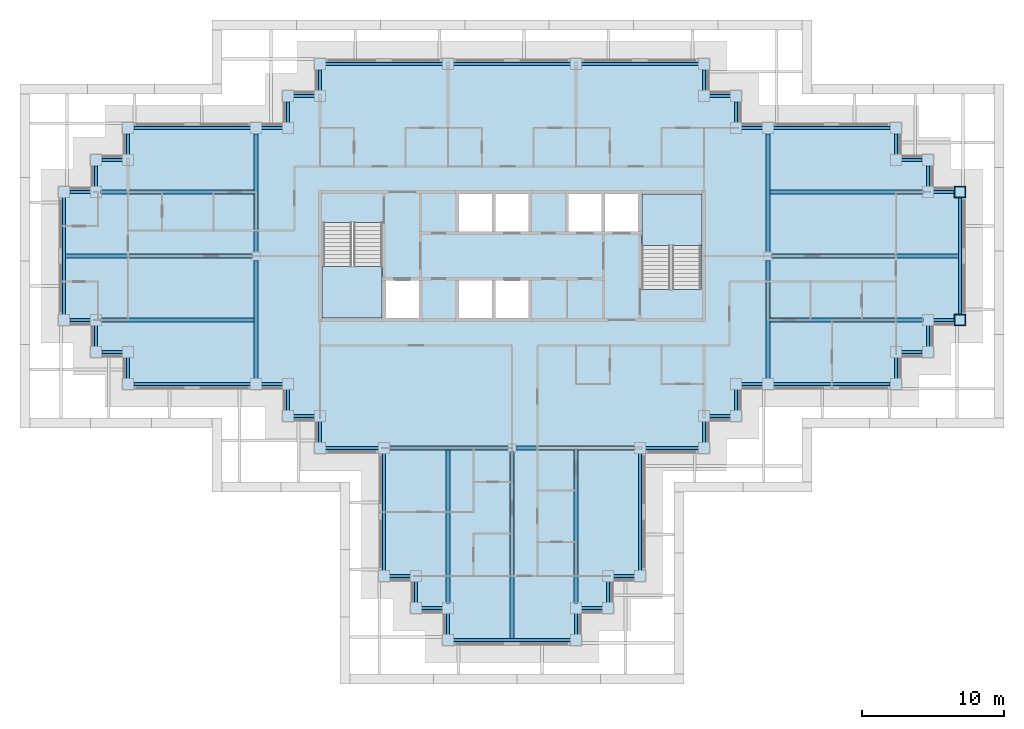
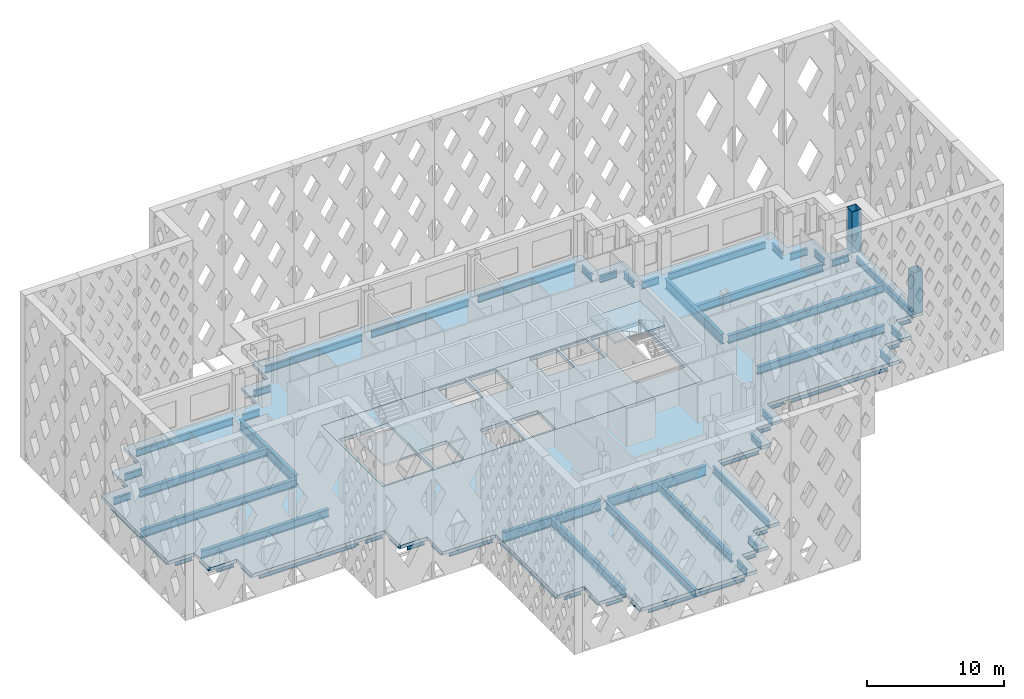
# One storey, part 2 of 19: 69 beams, 4 slabs, 2 columns, 2 elements without a shape of their own.
"""IFC4 building model written with IfcOpenShell, lengths in metres."""

import ifcopenshell
import ifcopenshell.guid

model = None  # the IFC model being written
_history = None  # IfcOwnerHistory: only IFC2X3 demands one
_inside = {}  # id of a spatial element -> (the spatial element, [elements in it])
_under = {}  # id of a project, library or spatial element -> (it, [spatial elements below it])
_declared = {}  # id of a project -> (the project, [libraries it declares])
_typed = {}  # id of a type object -> (the type object, [elements of that type])
_made_of = {}  # id of a material, layer set ... -> (it, [elements and type objects made of it])


def new_model(schema):
    """Start an empty IFC model of exactly this schema.

    Asked for "IFC4X3", IfcOpenShell would pick the latest addendum, in which some entities
    have other attributes; the version numbers below select the first issue.
    IFC2X3 requires an IfcOwnerHistory on every rooted entity: one is made here for all.
    """
    global model, _history
    if schema == "IFC4X3":
        model = ifcopenshell.file(schema_version=(4, 3, 0, 0))
    else:
        model = ifcopenshell.file(schema=schema)
    _inside.clear()
    _under.clear()
    _declared.clear()
    _typed.clear()
    _made_of.clear()
    _history = None
    if model.schema == "IFC2X3":
        org = make("IfcOrganization", Name="unknown")
        user = make(
            "IfcPersonAndOrganization",
            ThePerson=make("IfcPerson", FamilyName="unknown"),
            TheOrganization=org,
        )
        app = make(
            "IfcApplication",
            ApplicationDeveloper=org,
            Version="unknown",
            ApplicationFullName="unknown",
            ApplicationIdentifier="unknown",
        )
        _history = make(
            "IfcOwnerHistory",
            OwningUser=user,
            OwningApplication=app,
            ChangeAction="ADDED",
            CreationDate=0,
        )
    return model


def make(cls, **values):
    """One entity of the class cls with the attributes given. An attribute that is None is left unset."""
    return model.create_entity(
        cls, **{name: value for name, value in values.items() if value is not None}
    )


def rooted(cls, **values):
    """An entity with a GlobalId (a new one), such as an element, a storey or a relation."""
    return make(cls, GlobalId=ifcopenshell.guid.new(), OwnerHistory=_history, **values)


def si_unit(unit_type, name, prefix=None):
    """IfcSIUnit, for example si_unit("LENGTHUNIT", "METRE", prefix="MILLI")."""
    return make("IfcSIUnit", UnitType=unit_type, Prefix=prefix, Name=name)


def assignment(units):
    """IfcUnitAssignment: the units of a project."""
    return None if units is None else make("IfcUnitAssignment", Units=units)


def point(xyz):
    """IfcCartesianPoint."""
    return None if xyz is None else make("IfcCartesianPoint", Coordinates=xyz)


def direction(xyz):
    """IfcDirection."""
    return None if xyz is None else make("IfcDirection", DirectionRatios=xyz)


def frame(location, z_axis=None, x_axis=None):
    """IfcAxis2Placement3D, a coordinate frame: its origin and axes. An axis left out is left unset."""
    return make(
        "IfcAxis2Placement3D",
        Location=point(location),
        Axis=direction(z_axis),
        RefDirection=direction(x_axis),
    )


def frame_2d(location, x_axis=None):
    """IfcAxis2Placement2D, a coordinate frame in the plane: its origin and x axis."""
    return make(
        "IfcAxis2Placement2D", Location=point(location), RefDirection=direction(x_axis)
    )


def origin():
    """The frame at (0, 0, 0) with its axes left unset."""
    return frame((0.0, 0.0, 0.0))


def origin_2d():
    """The frame at (0, 0) in the plane with its x axis left unset."""
    return frame_2d((0.0, 0.0))


def place(relative_to, where):
    """IfcLocalPlacement: puts the frame where relative to a parent placement (None: the world)."""
    return make(
        "IfcLocalPlacement", PlacementRelTo=relative_to, RelativePlacement=where
    )


def context(
    kind, dimensions, precision=None, world=None, true_north=None, identifier=None
):
    """IfcGeometricRepresentationContext, for example the 3D "Model" context."""
    return make(
        "IfcGeometricRepresentationContext",
        ContextIdentifier=identifier,
        ContextType=kind,
        CoordinateSpaceDimension=dimensions,
        Precision=precision,
        WorldCoordinateSystem=world,
        TrueNorth=true_north,
    )


def subcontext(parent, identifier, kind, view, scale=None):
    """IfcGeometricRepresentationSubContext, for example "Body" below "Model"."""
    return make(
        "IfcGeometricRepresentationSubContext",
        ContextIdentifier=identifier,
        ContextType=kind,
        ParentContext=parent,
        TargetScale=scale,
        TargetView=view,
    )


def project(units=None, contexts=None):
    """IfcProject with its units and contexts."""
    return rooted(
        "IfcProject",
        Name="project",
        RepresentationContexts=contexts,
        UnitsInContext=assignment(units),
    )


def spatial(cls, under=None, at=None, **own):
    """A site, building, storey or space (cls), placed at a placement, below another one or the project."""
    s = rooted(cls, ObjectPlacement=at, **own)
    if under is not None:
        _under.setdefault(under.id(), (under, []))[1].append(s)
    return s


def polyline(points):
    """IfcPolyline through the points."""
    return make("IfcPolyline", Points=[point(p) for p in points])


def profile(cls, at=None, kind="AREA", **sizes):
    """A parametric profile (cls). Its sizes go by their IFC names, for example OverallWidth=200.0."""
    return make(cls, ProfileType=kind, Position=at, **sizes)


def hollow_rectangle(**sizes):
    """IfcRectangleHollowProfileDef."""
    return profile("IfcRectangleHollowProfileDef", **sizes)


def i_section(**sizes):
    """IfcIShapeProfileDef."""
    return profile("IfcIShapeProfileDef", **sizes)


def outline(outer, holes=None, kind="AREA"):
    """IfcArbitraryClosedProfileDef: a profile drawn as a closed curve; with holes, ...WithVoids."""
    if holes is None:
        return make("IfcArbitraryClosedProfileDef", ProfileType=kind, OuterCurve=outer)
    return make(
        "IfcArbitraryProfileDefWithVoids",
        ProfileType=kind,
        OuterCurve=outer,
        InnerCurves=holes,
    )


def extrude(swept, where, along, depth):
    """IfcExtrudedAreaSolid: the profile swept, set in the frame where, extruded along a direction by depth."""
    return make(
        "IfcExtrudedAreaSolid",
        SweptArea=swept,
        Position=where,
        ExtrudedDirection=direction(along),
        Depth=depth,
    )


def shape(context_of_items, identifier, shape_type, items):
    """IfcShapeRepresentation: the items that make up one representation, for example the "Body"."""
    return make(
        "IfcShapeRepresentation",
        ContextOfItems=context_of_items,
        RepresentationIdentifier=identifier,
        RepresentationType=shape_type,
        Items=items,
    )


def material(Name=None, Category=None):
    """IfcMaterial."""
    return make("IfcMaterial", Name=Name, Category=Category)


def layer(
    of_material, thickness, ventilated=None, Name=None, Category=None, Priority=None
):
    """IfcMaterialLayer: one layer of a wall or slab, of a material (None: an air gap)."""
    return make(
        "IfcMaterialLayer",
        Material=of_material,
        LayerThickness=thickness,
        IsVentilated=ventilated,
        Name=Name,
        Category=Category,
        Priority=Priority,
    )


def layer_set(layers, Name=None):
    """IfcMaterialLayerSet."""
    return make("IfcMaterialLayerSet", MaterialLayers=layers, LayerSetName=Name)


def material_profile(
    of_material, cross_section, Name=None, Category=None, Priority=None
):
    """IfcMaterialProfile: a cross section and its material."""
    return make(
        "IfcMaterialProfile",
        Name=Name,
        Material=of_material,
        Profile=cross_section,
        Priority=Priority,
        Category=Category,
    )


def profile_set(profiles, Name=None, composite=None):
    """IfcMaterialProfileSet."""
    return make(
        "IfcMaterialProfileSet",
        Name=Name,
        MaterialProfiles=profiles,
        CompositeProfile=composite,
    )


def made_of(thing, what):
    """Note that an element or type object is made of a material, layer set ...; save() writes the relation."""
    if what is not None:
        _made_of.setdefault(what.id(), (what, []))[1].append(thing)
    return thing


def type_object(cls, material=None, **own):
    """A type object (cls), such as IfcWallType, which elements share."""
    return made_of(rooted(cls, **own), material)


def element(
    cls,
    number,
    at=None,
    inside=None,
    cuts=None,
    type_object=None,
    material=None,
    context=None,
    identifier="Body",
    shape_type=None,
    held_by="IfcProductDefinitionShape",
    body=None,
    shapes=None,
    **own,
):
    """One element of the class cls, such as IfcWall. Its Tag is "e" and its number.

    at: its placement. inside: the storey or other place that contains it. cuts: it is an
    opening in that element (IfcRelVoidsElement). A single representation is given by context,
    identifier, shape_type and body (its items); several are given by shapes. held_by: the class
    of the entity that holds the representations. save() writes the other relations.
    """
    e = rooted(cls, Tag="e%d" % number, ObjectPlacement=at, **own)
    if body is not None:
        shapes = [shape(context, identifier, shape_type, body)]
    if shapes is not None:
        e.Representation = make(held_by, Representations=shapes)
    if inside is not None:
        _inside.setdefault(inside.id(), (inside, []))[1].append(e)
    if cuts is not None:
        rooted(
            "IfcRelVoidsElement", RelatingBuildingElement=cuts, RelatedOpeningElement=e
        )
    if type_object is not None:
        _typed.setdefault(type_object.id(), (type_object, []))[1].append(e)
    return made_of(e, material)


def aggregate(whole, parts):
    """IfcRelAggregates: a whole, such as a stair, and the parts it consists of."""
    return rooted("IfcRelAggregates", RelatingObject=whole, RelatedObjects=parts)


def save(model, path):
    """Write the relations noted so far, then the file.

    IfcRelAggregates (storeys below a building ...), IfcRelContainedInSpatialStructure (elements
    in a storey), IfcRelDefinesByType, IfcRelAssociatesMaterial and IfcRelDeclares: one each for
    every whole, place, type object, material and project.
    """
    for whole, parts in _under.values():
        aggregate(whole, parts)
    for where, things in _inside.values():
        rooted(
            "IfcRelContainedInSpatialStructure",
            RelatedElements=things,
            RelatingStructure=where,
        )
    for kind, things in _typed.values():
        rooted("IfcRelDefinesByType", RelatedObjects=things, RelatingType=kind)
    for what, things in _made_of.values():
        rooted("IfcRelAssociatesMaterial", RelatedObjects=things, RelatingMaterial=what)
    for by, libraries in _declared.values():
        rooted("IfcRelDeclares", RelatingContext=by, RelatedDefinitions=libraries)
    model.write(path)


model = new_model("IFC4")

# Units and contexts
model_context = context("Model", 3, precision=1e-05, world=origin(), true_north=direction((0.0, 1.0)))
body_context = subcontext(model_context, "Body", "Model", "MODEL_VIEW")
ifc_project = project(units=[si_unit("LENGTHUNIT", "METRE"), si_unit("AREAUNIT", "SQUARE_METRE"), si_unit("VOLUMEUNIT", "CUBIC_METRE"), si_unit("PLANEANGLEUNIT", "RADIAN"), si_unit("MASSUNIT", "GRAM", prefix="KILO")], contexts=[model_context])

# Site, building, storey
site_placement = place(None, origin())
site = spatial("IfcSite", under=ifc_project, at=site_placement, CompositionType="ELEMENT")
building_placement = place(site_placement, origin())
building = spatial("IfcBuilding", under=site, at=building_placement, Name="Caravel Reach Hotel and Residences", CompositionType="ELEMENT")
storey_placement = place(building_placement, frame((0.0, 0.0, 150.60009765625)))
storey = spatial("IfcBuildingStorey", under=building, at=storey_placement, Name="L37", CompositionType="ELEMENT", Elevation=150.60009765625)

# Columns
ifc_material_1 = material(Name="Concrete-filled steel tube Q390B with Concrete C60 infill", Category="concrete")
ifc_material_profile_1 = material_profile(ifc_material_1, hollow_rectangle(XDim=0.800048828125, YDim=0.800048828125, WallThickness=0.02490234375, at=origin_2d()), Name="RHS 800x800x25")
ifc_profile_set_1 = profile_set([ifc_material_profile_1], Name="Concrete-filled steel tube Q390B with Concrete C60 infill")
column_type = type_object("IfcColumnType", Name="CFT 800x800 Q390B C60", PredefinedType="COLUMN", material=ifc_profile_set_1)
for number, where, z_axis, x_axis, name in (
    (1, (63.0, 22.5, 0.0), (0.0, 0.0, 1.0), (1.0, 0.0, 0.0), "C5 column"),
    (2, (63.0, 31.5, 0.0), (0.0, 0.0, 1.0), (1.0, 0.0, 0.0), "C5 column"),
):
    element("IfcColumn", number, at=place(storey_placement, frame(where, z_axis=z_axis, x_axis=x_axis)), inside=storey, type_object=column_type, Name=name, PredefinedType="COLUMN", context=body_context, shape_type="SweptSolid", body=[
        extrude(hollow_rectangle(XDim=0.800048828125, YDim=0.800048828125, WallThickness=0.02490234375, at=origin_2d()), origin(), (0.0, 0.0, 1.0), 3.699951171875),
    ])

# Beams
ifc_material_2 = material(Name="Structural steel Q355B", Category="steel")
ifc_material_profile_2 = material_profile(ifc_material_2, i_section(OverallWidth=0.300048828125, OverallDepth=0.699951171875, WebThickness=0.012939453125, FlangeThickness=0.02392578125, FilletRadius=0.01806640625, at=origin_2d()), Name="HN 700x300x13x24")
ifc_profile_set_2 = profile_set([ifc_material_profile_2], Name="Structural steel Q355B")
beam_type_1 = type_object("IfcBeamType", Name="Beam HN 700x300x13x24", PredefinedType="BEAM", material=ifc_profile_set_2)
beam_1_placement = place(storey_placement, frame((27.0, 13.39990234375, -0.650146484375), z_axis=(0.0, -1.0, 0.0), x_axis=(1.0, 0.0, 0.0)))
element("IfcBeam", 3, at=beam_1_placement, inside=storey, type_object=beam_type_1, Name="B2 HN 700x300x13x24", PredefinedType="BEAM", context=body_context, shape_type="SweptSolid", body=[
    extrude(i_section(OverallWidth=0.300048828125, OverallDepth=0.699951171875, WebThickness=0.012939453125, FlangeThickness=0.02392578125, FilletRadius=0.01806640625, at=origin_2d()), origin(), (0.0, 0.0, 1.0), 10.7998046875),
])
beam_2_placement = place(storey_placement, frame((31.5, 13.25, -0.650146484375), z_axis=(0.0, -1.0, 0.0), x_axis=(1.0, 0.0, 0.0)))
element("IfcBeam", 4, at=beam_2_placement, inside=storey, type_object=beam_type_1, Name="B2 HN 700x300x13x24", PredefinedType="BEAM", context=body_context, shape_type="SweptSolid", body=[
    extrude(i_section(OverallWidth=0.300048828125, OverallDepth=0.699951171875, WebThickness=0.012939453125, FlangeThickness=0.02392578125, FilletRadius=0.01806640625, at=origin_2d()), origin(), (0.0, 0.0, 1.0), 13.14990234375),
])
for number, where, z_axis, x_axis, name in (
    (5, (36.0, 13.39990234375, -0.650146484375), (0.0, -1.0, 0.0), (1.0, 0.0, 0.0), "B2 HN 700x300x13x24"),
    (6, (49.60009765625, 22.5, -0.650146484375), (1.0, 0.0, 0.0), (0.0, 1.0, 0.0), "B2 HN 700x300x13x24"),
):
    element("IfcBeam", number, at=place(storey_placement, frame(where, z_axis=z_axis, x_axis=x_axis)), inside=storey, type_object=beam_type_1, Name=name, PredefinedType="BEAM", context=body_context, shape_type="SweptSolid", body=[
        extrude(i_section(OverallWidth=0.300048828125, OverallDepth=0.699951171875, WebThickness=0.012939453125, FlangeThickness=0.02392578125, FilletRadius=0.01806640625, at=origin_2d()), origin(), (0.0, 0.0, 1.0), 10.7998046875),
    ])
beam_3_placement = place(storey_placement, frame((49.75, 27.0, -0.650146484375), z_axis=(1.0, 0.0, 0.0), x_axis=(0.0, 1.0, 0.0)))
element("IfcBeam", 7, at=beam_3_placement, inside=storey, type_object=beam_type_1, Name="B2 HN 700x300x13x24", PredefinedType="BEAM", context=body_context, shape_type="SweptSolid", body=[
    extrude(i_section(OverallWidth=0.300048828125, OverallDepth=0.699951171875, WebThickness=0.012939453125, FlangeThickness=0.02392578125, FilletRadius=0.01806640625, at=origin_2d()), origin(), (0.0, 0.0, 1.0), 13.14990234375),
])
for number, where, z_axis, x_axis, name in (
    (8, (49.60009765625, 31.5, -0.650146484375), (1.0, 0.0, 0.0), (0.0, 1.0, 0.0), "B2 HN 700x300x13x24"),
    (9, (13.39990234375, 22.5, -0.650146484375), (-1.0, 0.0, 0.0), (0.0, -1.0, 0.0), "B2 HN 700x300x13x24"),
):
    element("IfcBeam", number, at=place(storey_placement, frame(where, z_axis=z_axis, x_axis=x_axis)), inside=storey, type_object=beam_type_1, Name=name, PredefinedType="BEAM", context=body_context, shape_type="SweptSolid", body=[
        extrude(i_section(OverallWidth=0.300048828125, OverallDepth=0.699951171875, WebThickness=0.012939453125, FlangeThickness=0.02392578125, FilletRadius=0.01806640625, at=origin_2d()), origin(), (0.0, 0.0, 1.0), 10.7998046875),
    ])
beam_4_placement = place(storey_placement, frame((13.25, 27.0, -0.650146484375), z_axis=(-1.0, 0.0, 0.0), x_axis=(0.0, -1.0, 0.0)))
element("IfcBeam", 10, at=beam_4_placement, inside=storey, type_object=beam_type_1, Name="B2 HN 700x300x13x24", PredefinedType="BEAM", context=body_context, shape_type="SweptSolid", body=[
    extrude(i_section(OverallWidth=0.300048828125, OverallDepth=0.699951171875, WebThickness=0.012939453125, FlangeThickness=0.02392578125, FilletRadius=0.01806640625, at=origin_2d()), origin(), (0.0, 0.0, 1.0), 13.14990234375),
])
beam_5_placement = place(storey_placement, frame((13.39990234375, 31.5, -0.650146484375), z_axis=(-1.0, 0.0, 0.0), x_axis=(0.0, -1.0, 0.0)))
element("IfcBeam", 11, at=beam_5_placement, inside=storey, type_object=beam_type_1, Name="B2 HN 700x300x13x24", PredefinedType="BEAM", context=body_context, shape_type="SweptSolid", body=[
    extrude(i_section(OverallWidth=0.300048828125, OverallDepth=0.699951171875, WebThickness=0.012939453125, FlangeThickness=0.02392578125, FilletRadius=0.01806640625, at=origin_2d()), origin(), (0.0, 0.0, 1.0), 10.7998046875),
])
ifc_material_3 = material(Name="Structural steel Q355B", Category="steel")
ifc_material_profile_3 = material_profile(ifc_material_3, i_section(OverallWidth=0.300048828125, OverallDepth=0.89990234375, WebThickness=0.01611328125, FlangeThickness=0.028076171875, FilletRadius=0.01806640625, at=origin_2d()), Name="HN 900x300x16x28")
ifc_profile_set_3 = profile_set([ifc_material_profile_3], Name="Structural steel Q355B")
beam_type_2 = type_object("IfcBeamType", Name="Beam HN 900x300x16x28", PredefinedType="BEAM", material=ifc_profile_set_3)
for number, where, z_axis, x_axis, name in (
    (12, (22.89990234375, 13.5, -0.75), (1.0, 0.0, 0.0), (0.0, 1.0, 0.0), "B3 HN 900x300x16x28"),
    (13, (31.800048828125, 13.5, -0.75), (1.0, 0.0, 0.0), (0.0, 1.0, 0.0), "B3 HN 900x300x16x28"),
    (14, (13.5, 18.39990234375, -0.75), (0.0, 1.0, 0.0), (-1.0, 0.0, 0.0), "B3 HN 900x300x16x28"),
    (15, (13.5, 27.300048828125, -0.75), (0.0, 1.0, 0.0), (-1.0, 0.0, 0.0), "B3 HN 900x300x16x28"),
    (16, (49.5, 18.39990234375, -0.75), (0.0, 1.0, 0.0), (-1.0, 0.0, 0.0), "B3 HN 900x300x16x28"),
    (17, (49.5, 27.300048828125, -0.75), (0.0, 1.0, 0.0), (-1.0, 0.0, 0.0), "B3 HN 900x300x16x28"),
):
    element("IfcBeam", number, at=place(storey_placement, frame(where, z_axis=z_axis, x_axis=x_axis)), inside=storey, type_object=beam_type_2, Name=name, PredefinedType="BEAM", context=body_context, shape_type="SweptSolid", body=[
        extrude(i_section(OverallWidth=0.300048828125, OverallDepth=0.89990234375, WebThickness=0.01611328125, FlangeThickness=0.028076171875, FilletRadius=0.01806640625, at=origin_2d()), origin(), (0.0, 0.0, 1.0), 8.300048828125),
    ])
ifc_material_4 = material(Name="Structural steel Q355B", Category="steel")
ifc_material_profile_4 = material_profile(ifc_material_4, i_section(OverallWidth=0.199951171875, OverallDepth=0.60009765625, WebThickness=0.010986328125, FlangeThickness=0.01708984375, FilletRadius=0.012939453125, at=origin_2d()), Name="HN 600x200x11x17")
ifc_profile_set_4 = profile_set([ifc_material_profile_4], Name="Structural steel Q355B")
beam_type_3 = type_object("IfcBeamType", Name="Spandrel beam HN 600x200x11x17", PredefinedType="SPANDREL", material=ifc_profile_set_4)
for number, where, z_axis, x_axis, name in (
    (18, (22.89990234375, 4.5, -0.60009765625), (1.0, 0.0, 0.0), (0.0, 1.0, 0.0), "SP1 HN 600x200x11x17"),
    (19, (24.75, 4.10009765625, -0.60009765625), (0.0, -1.0, 0.0), (1.0, 0.0, 0.0), "SP1 HN 600x200x11x17"),
    (20, (25.14990234375, 2.25, -0.60009765625), (1.0, 0.0, 0.0), (0.0, 1.0, 0.0), "SP1 HN 600x200x11x17"),
    (21, (27.0, 1.85009765625, -0.60009765625), (0.0, -1.0, 0.0), (1.0, 0.0, 0.0), "SP1 HN 600x200x11x17"),
):
    element("IfcBeam", number, at=place(storey_placement, frame(where, z_axis=z_axis, x_axis=x_axis)), inside=storey, type_object=beam_type_3, Name=name, PredefinedType="SPANDREL", context=body_context, shape_type="SweptSolid", body=[
        extrude(i_section(OverallWidth=0.199951171875, OverallDepth=0.60009765625, WebThickness=0.010986328125, FlangeThickness=0.01708984375, FilletRadius=0.012939453125, at=origin_2d()), origin(), (0.0, 0.0, 1.0), 1.4501953125),
    ])
beam_6_placement = place(storey_placement, frame((27.39990234375, 0.0, -0.60009765625), z_axis=(1.0, 0.0, 0.0), x_axis=(0.0, 1.0, 0.0)))
element("IfcBeam", 22, at=beam_6_placement, inside=storey, type_object=beam_type_3, Name="SP1 HN 600x200x11x17", PredefinedType="SPANDREL", context=body_context, shape_type="SweptSolid", body=[
    extrude(i_section(OverallWidth=0.199951171875, OverallDepth=0.60009765625, WebThickness=0.010986328125, FlangeThickness=0.01708984375, FilletRadius=0.012939453125, at=origin_2d()), origin(), (0.0, 0.0, 1.0), 8.2001953125),
])
for number, where, z_axis, x_axis, name in (
    (23, (36.0, 0.39990234375, -0.60009765625), (0.0, 1.0, 0.0), (-1.0, 0.0, 0.0), "SP1 HN 600x200x11x17"),
    (24, (36.39990234375, 2.25, -0.60009765625), (1.0, 0.0, 0.0), (0.0, 1.0, 0.0), "SP1 HN 600x200x11x17"),
    (25, (38.25, 2.64990234375, -0.60009765625), (0.0, 1.0, 0.0), (-1.0, 0.0, 0.0), "SP1 HN 600x200x11x17"),
    (26, (38.64990234375, 4.5, -0.60009765625), (1.0, 0.0, 0.0), (0.0, 1.0, 0.0), "SP1 HN 600x200x11x17"),
):
    element("IfcBeam", number, at=place(storey_placement, frame(where, z_axis=z_axis, x_axis=x_axis)), inside=storey, type_object=beam_type_3, Name=name, PredefinedType="SPANDREL", context=body_context, shape_type="SweptSolid", body=[
        extrude(i_section(OverallWidth=0.199951171875, OverallDepth=0.60009765625, WebThickness=0.010986328125, FlangeThickness=0.01708984375, FilletRadius=0.012939453125, at=origin_2d()), origin(), (0.0, 0.0, 1.0), 1.4501953125),
    ])
beam_7_placement = place(storey_placement, frame((40.5, 4.89990234375, -0.60009765625), z_axis=(0.0, 1.0, 0.0), x_axis=(-1.0, 0.0, 0.0)))
element("IfcBeam", 27, at=beam_7_placement, inside=storey, type_object=beam_type_3, Name="SP1 HN 600x200x11x17", PredefinedType="SPANDREL", context=body_context, shape_type="SweptSolid", body=[
    extrude(i_section(OverallWidth=0.199951171875, OverallDepth=0.60009765625, WebThickness=0.010986328125, FlangeThickness=0.01708984375, FilletRadius=0.012939453125, at=origin_2d()), origin(), (0.0, 0.0, 1.0), 8.2001953125),
])
beam_8_placement = place(storey_placement, frame((40.89990234375, 13.5, -0.60009765625), z_axis=(1.0, 0.0, 0.0), x_axis=(0.0, 1.0, 0.0)))
element("IfcBeam", 28, at=beam_8_placement, inside=storey, type_object=beam_type_3, Name="SP1 HN 600x200x11x17", PredefinedType="SPANDREL", context=body_context, shape_type="SweptSolid", body=[
    extrude(i_section(OverallWidth=0.199951171875, OverallDepth=0.60009765625, WebThickness=0.010986328125, FlangeThickness=0.01708984375, FilletRadius=0.012939453125, at=origin_2d()), origin(), (0.0, 0.0, 1.0), 3.7001953125),
])
for number, where, z_axis, x_axis, name in (
    (29, (45.0, 13.89990234375, -0.60009765625), (0.0, 1.0, 0.0), (-1.0, 0.0, 0.0), "SP1 HN 600x200x11x17"),
    (30, (45.39990234375, 15.75, -0.60009765625), (1.0, 0.0, 0.0), (0.0, 1.0, 0.0), "SP1 HN 600x200x11x17"),
    (31, (47.25, 16.14990234375, -0.60009765625), (0.0, 1.0, 0.0), (-1.0, 0.0, 0.0), "SP1 HN 600x200x11x17"),
    (32, (47.64990234375, 18.0, -0.60009765625), (1.0, 0.0, 0.0), (0.0, 1.0, 0.0), "SP1 HN 600x200x11x17"),
):
    element("IfcBeam", number, at=place(storey_placement, frame(where, z_axis=z_axis, x_axis=x_axis)), inside=storey, type_object=beam_type_3, Name=name, PredefinedType="SPANDREL", context=body_context, shape_type="SweptSolid", body=[
        extrude(i_section(OverallWidth=0.199951171875, OverallDepth=0.60009765625, WebThickness=0.010986328125, FlangeThickness=0.01708984375, FilletRadius=0.012939453125, at=origin_2d()), origin(), (0.0, 0.0, 1.0), 1.4501953125),
    ])
beam_9_placement = place(storey_placement, frame((49.89990234375, 18.0, -0.60009765625), z_axis=(1.0, 0.0, 0.0), x_axis=(0.0, 1.0, 0.0)))
element("IfcBeam", 33, at=beam_9_placement, inside=storey, type_object=beam_type_3, Name="SP1 HN 600x200x11x17", PredefinedType="SPANDREL", context=body_context, shape_type="SweptSolid", body=[
    extrude(i_section(OverallWidth=0.199951171875, OverallDepth=0.60009765625, WebThickness=0.010986328125, FlangeThickness=0.01708984375, FilletRadius=0.012939453125, at=origin_2d()), origin(), (0.0, 0.0, 1.0), 8.2001953125),
])
for number, where, z_axis, x_axis, name in (
    (34, (58.5, 18.39990234375, -0.60009765625), (0.0, 1.0, 0.0), (-1.0, 0.0, 0.0), "SP1 HN 600x200x11x17"),
    (35, (58.89990234375, 20.25, -0.60009765625), (1.0, 0.0, 0.0), (0.0, 1.0, 0.0), "SP1 HN 600x200x11x17"),
    (36, (60.75, 20.64990234375, -0.60009765625), (0.0, 1.0, 0.0), (-1.0, 0.0, 0.0), "SP1 HN 600x200x11x17"),
    (37, (61.14990234375, 22.5, -0.60009765625), (1.0, 0.0, 0.0), (0.0, 1.0, 0.0), "SP1 HN 600x200x11x17"),
):
    element("IfcBeam", number, at=place(storey_placement, frame(where, z_axis=z_axis, x_axis=x_axis)), inside=storey, type_object=beam_type_3, Name=name, PredefinedType="SPANDREL", context=body_context, shape_type="SweptSolid", body=[
        extrude(i_section(OverallWidth=0.199951171875, OverallDepth=0.60009765625, WebThickness=0.010986328125, FlangeThickness=0.01708984375, FilletRadius=0.012939453125, at=origin_2d()), origin(), (0.0, 0.0, 1.0), 1.4501953125),
    ])
beam_10_placement = place(storey_placement, frame((63.0, 22.89990234375, -0.60009765625), z_axis=(0.0, 1.0, 0.0), x_axis=(-1.0, 0.0, 0.0)))
element("IfcBeam", 38, at=beam_10_placement, inside=storey, type_object=beam_type_3, Name="SP1 HN 600x200x11x17", PredefinedType="SPANDREL", context=body_context, shape_type="SweptSolid", body=[
    extrude(i_section(OverallWidth=0.199951171875, OverallDepth=0.60009765625, WebThickness=0.010986328125, FlangeThickness=0.01708984375, FilletRadius=0.012939453125, at=origin_2d()), origin(), (0.0, 0.0, 1.0), 8.2001953125),
])
for number, where, z_axis, x_axis, name in (
    (39, (62.60009765625, 31.5, -0.60009765625), (-1.0, 0.0, 0.0), (0.0, -1.0, 0.0), "SP1 HN 600x200x11x17"),
    (40, (60.75, 31.89990234375, -0.60009765625), (0.0, 1.0, 0.0), (-1.0, 0.0, 0.0), "SP1 HN 600x200x11x17"),
    (41, (60.35009765625, 33.75, -0.60009765625), (-1.0, 0.0, 0.0), (0.0, -1.0, 0.0), "SP1 HN 600x200x11x17"),
    (42, (58.5, 34.14990234375, -0.60009765625), (0.0, 1.0, 0.0), (-1.0, 0.0, 0.0), "SP1 HN 600x200x11x17"),
):
    element("IfcBeam", number, at=place(storey_placement, frame(where, z_axis=z_axis, x_axis=x_axis)), inside=storey, type_object=beam_type_3, Name=name, PredefinedType="SPANDREL", context=body_context, shape_type="SweptSolid", body=[
        extrude(i_section(OverallWidth=0.199951171875, OverallDepth=0.60009765625, WebThickness=0.010986328125, FlangeThickness=0.01708984375, FilletRadius=0.012939453125, at=origin_2d()), origin(), (0.0, 0.0, 1.0), 1.4501953125),
    ])
beam_11_placement = place(storey_placement, frame((58.10009765625, 36.0, -0.60009765625), z_axis=(-1.0, 0.0, 0.0), x_axis=(0.0, -1.0, 0.0)))
element("IfcBeam", 43, at=beam_11_placement, inside=storey, type_object=beam_type_3, Name="SP1 HN 600x200x11x17", PredefinedType="SPANDREL", context=body_context, shape_type="SweptSolid", body=[
    extrude(i_section(OverallWidth=0.199951171875, OverallDepth=0.60009765625, WebThickness=0.010986328125, FlangeThickness=0.01708984375, FilletRadius=0.012939453125, at=origin_2d()), origin(), (0.0, 0.0, 1.0), 8.2001953125),
])
for number, where, z_axis, x_axis, name in (
    (44, (49.10009765625, 36.0, -0.60009765625), (-1.0, 0.0, 0.0), (0.0, -1.0, 0.0), "SP1 HN 600x200x11x17"),
    (45, (47.25, 36.39990234375, -0.60009765625), (0.0, 1.0, 0.0), (-1.0, 0.0, 0.0), "SP1 HN 600x200x11x17"),
    (46, (46.85009765625, 38.25, -0.60009765625), (-1.0, 0.0, 0.0), (0.0, -1.0, 0.0), "SP1 HN 600x200x11x17"),
    (47, (45.0, 38.64990234375, -0.60009765625), (0.0, 1.0, 0.0), (-1.0, 0.0, 0.0), "SP1 HN 600x200x11x17"),
):
    element("IfcBeam", number, at=place(storey_placement, frame(where, z_axis=z_axis, x_axis=x_axis)), inside=storey, type_object=beam_type_3, Name=name, PredefinedType="SPANDREL", context=body_context, shape_type="SweptSolid", body=[
        extrude(i_section(OverallWidth=0.199951171875, OverallDepth=0.60009765625, WebThickness=0.010986328125, FlangeThickness=0.01708984375, FilletRadius=0.012939453125, at=origin_2d()), origin(), (0.0, 0.0, 1.0), 1.4501953125),
    ])
for number, where, z_axis, x_axis, name in (
    (48, (44.60009765625, 40.5, -0.60009765625), (-1.0, 0.0, 0.0), (0.0, -1.0, 0.0), "SP1 HN 600x200x11x17"),
    (49, (35.60009765625, 40.5, -0.60009765625), (-1.0, 0.0, 0.0), (0.0, -1.0, 0.0), "SP1 HN 600x200x11x17"),
    (50, (26.60009765625, 40.5, -0.60009765625), (-1.0, 0.0, 0.0), (0.0, -1.0, 0.0), "SP1 HN 600x200x11x17"),
):
    element("IfcBeam", number, at=place(storey_placement, frame(where, z_axis=z_axis, x_axis=x_axis)), inside=storey, type_object=beam_type_3, Name=name, PredefinedType="SPANDREL", context=body_context, shape_type="SweptSolid", body=[
        extrude(i_section(OverallWidth=0.199951171875, OverallDepth=0.60009765625, WebThickness=0.010986328125, FlangeThickness=0.01708984375, FilletRadius=0.012939453125, at=origin_2d()), origin(), (0.0, 0.0, 1.0), 8.2001953125),
    ])
for number, where, z_axis, x_axis, name in (
    (51, (18.0, 40.10009765625, -0.60009765625), (0.0, -1.0, 0.0), (1.0, 0.0, 0.0), "SP1 HN 600x200x11x17"),
    (52, (17.60009765625, 38.25, -0.60009765625), (-1.0, 0.0, 0.0), (0.0, -1.0, 0.0), "SP1 HN 600x200x11x17"),
    (53, (15.75, 37.85009765625, -0.60009765625), (0.0, -1.0, 0.0), (1.0, 0.0, 0.0), "SP1 HN 600x200x11x17"),
    (54, (15.35009765625, 36.0, -0.60009765625), (-1.0, 0.0, 0.0), (0.0, -1.0, 0.0), "SP1 HN 600x200x11x17"),
):
    element("IfcBeam", number, at=place(storey_placement, frame(where, z_axis=z_axis, x_axis=x_axis)), inside=storey, type_object=beam_type_3, Name=name, PredefinedType="SPANDREL", context=body_context, shape_type="SweptSolid", body=[
        extrude(i_section(OverallWidth=0.199951171875, OverallDepth=0.60009765625, WebThickness=0.010986328125, FlangeThickness=0.01708984375, FilletRadius=0.012939453125, at=origin_2d()), origin(), (0.0, 0.0, 1.0), 1.4501953125),
    ])
beam_12_placement = place(storey_placement, frame((13.10009765625, 36.0, -0.60009765625), z_axis=(-1.0, 0.0, 0.0), x_axis=(0.0, -1.0, 0.0)))
element("IfcBeam", 55, at=beam_12_placement, inside=storey, type_object=beam_type_3, Name="SP1 HN 600x200x11x17", PredefinedType="SPANDREL", context=body_context, shape_type="SweptSolid", body=[
    extrude(i_section(OverallWidth=0.199951171875, OverallDepth=0.60009765625, WebThickness=0.010986328125, FlangeThickness=0.01708984375, FilletRadius=0.012939453125, at=origin_2d()), origin(), (0.0, 0.0, 1.0), 8.2001953125),
])
for number, where, z_axis, x_axis, name in (
    (56, (4.5, 35.60009765625, -0.60009765625), (0.0, -1.0, 0.0), (1.0, 0.0, 0.0), "SP1 HN 600x200x11x17"),
    (57, (4.10009765625, 33.75, -0.60009765625), (-1.0, 0.0, 0.0), (0.0, -1.0, 0.0), "SP1 HN 600x200x11x17"),
    (58, (2.25, 33.35009765625, -0.60009765625), (0.0, -1.0, 0.0), (1.0, 0.0, 0.0), "SP1 HN 600x200x11x17"),
    (59, (1.85009765625, 31.5, -0.60009765625), (-1.0, 0.0, 0.0), (0.0, -1.0, 0.0), "SP1 HN 600x200x11x17"),
):
    element("IfcBeam", number, at=place(storey_placement, frame(where, z_axis=z_axis, x_axis=x_axis)), inside=storey, type_object=beam_type_3, Name=name, PredefinedType="SPANDREL", context=body_context, shape_type="SweptSolid", body=[
        extrude(i_section(OverallWidth=0.199951171875, OverallDepth=0.60009765625, WebThickness=0.010986328125, FlangeThickness=0.01708984375, FilletRadius=0.012939453125, at=origin_2d()), origin(), (0.0, 0.0, 1.0), 1.4501953125),
    ])
beam_13_placement = place(storey_placement, frame((0.0, 31.10009765625, -0.60009765625), z_axis=(0.0, -1.0, 0.0), x_axis=(1.0, 0.0, 0.0)))
element("IfcBeam", 60, at=beam_13_placement, inside=storey, type_object=beam_type_3, Name="SP1 HN 600x200x11x17", PredefinedType="SPANDREL", context=body_context, shape_type="SweptSolid", body=[
    extrude(i_section(OverallWidth=0.199951171875, OverallDepth=0.60009765625, WebThickness=0.010986328125, FlangeThickness=0.01708984375, FilletRadius=0.012939453125, at=origin_2d()), origin(), (0.0, 0.0, 1.0), 8.2001953125),
])
for number, where, z_axis, x_axis, name in (
    (61, (0.39990234375, 22.5, -0.60009765625), (1.0, 0.0, 0.0), (0.0, 1.0, 0.0), "SP1 HN 600x200x11x17"),
    (62, (2.25, 22.10009765625, -0.60009765625), (0.0, -1.0, 0.0), (1.0, 0.0, 0.0), "SP1 HN 600x200x11x17"),
    (63, (2.64990234375, 20.25, -0.60009765625), (1.0, 0.0, 0.0), (0.0, 1.0, 0.0), "SP1 HN 600x200x11x17"),
    (64, (4.5, 19.85009765625, -0.60009765625), (0.0, -1.0, 0.0), (1.0, 0.0, 0.0), "SP1 HN 600x200x11x17"),
):
    element("IfcBeam", number, at=place(storey_placement, frame(where, z_axis=z_axis, x_axis=x_axis)), inside=storey, type_object=beam_type_3, Name=name, PredefinedType="SPANDREL", context=body_context, shape_type="SweptSolid", body=[
        extrude(i_section(OverallWidth=0.199951171875, OverallDepth=0.60009765625, WebThickness=0.010986328125, FlangeThickness=0.01708984375, FilletRadius=0.012939453125, at=origin_2d()), origin(), (0.0, 0.0, 1.0), 1.4501953125),
    ])
beam_14_placement = place(storey_placement, frame((4.89990234375, 18.0, -0.60009765625), z_axis=(1.0, 0.0, 0.0), x_axis=(0.0, 1.0, 0.0)))
element("IfcBeam", 65, at=beam_14_placement, inside=storey, type_object=beam_type_3, Name="SP1 HN 600x200x11x17", PredefinedType="SPANDREL", context=body_context, shape_type="SweptSolid", body=[
    extrude(i_section(OverallWidth=0.199951171875, OverallDepth=0.60009765625, WebThickness=0.010986328125, FlangeThickness=0.01708984375, FilletRadius=0.012939453125, at=origin_2d()), origin(), (0.0, 0.0, 1.0), 8.2001953125),
])
for number, where, z_axis, x_axis, name in (
    (66, (13.89990234375, 18.0, -0.60009765625), (1.0, 0.0, 0.0), (0.0, 1.0, 0.0), "SP1 HN 600x200x11x17"),
    (67, (15.75, 17.60009765625, -0.60009765625), (0.0, -1.0, 0.0), (1.0, 0.0, 0.0), "SP1 HN 600x200x11x17"),
    (68, (16.14990234375, 15.75, -0.60009765625), (1.0, 0.0, 0.0), (0.0, 1.0, 0.0), "SP1 HN 600x200x11x17"),
    (69, (18.0, 15.35009765625, -0.60009765625), (0.0, -1.0, 0.0), (1.0, 0.0, 0.0), "SP1 HN 600x200x11x17"),
):
    element("IfcBeam", number, at=place(storey_placement, frame(where, z_axis=z_axis, x_axis=x_axis)), inside=storey, type_object=beam_type_3, Name=name, PredefinedType="SPANDREL", context=body_context, shape_type="SweptSolid", body=[
        extrude(i_section(OverallWidth=0.199951171875, OverallDepth=0.60009765625, WebThickness=0.010986328125, FlangeThickness=0.01708984375, FilletRadius=0.012939453125, at=origin_2d()), origin(), (0.0, 0.0, 1.0), 1.4501953125),
    ])
beam_15_placement = place(storey_placement, frame((18.39990234375, 13.5, -0.60009765625), z_axis=(1.0, 0.0, 0.0), x_axis=(0.0, 1.0, 0.0)))
element("IfcBeam", 70, at=beam_15_placement, inside=storey, type_object=beam_type_3, Name="SP1 HN 600x200x11x17", PredefinedType="SPANDREL", context=body_context, shape_type="SweptSolid", body=[
    extrude(i_section(OverallWidth=0.199951171875, OverallDepth=0.60009765625, WebThickness=0.010986328125, FlangeThickness=0.01708984375, FilletRadius=0.012939453125, at=origin_2d()), origin(), (0.0, 0.0, 1.0), 3.7001953125),
])
beam_16_placement = place(storey_placement, frame((22.5, 13.10009765625, -0.60009765625), z_axis=(0.0, -1.0, 0.0), x_axis=(1.0, 0.0, 0.0)))
element("IfcBeam", 71, at=beam_16_placement, inside=storey, type_object=beam_type_3, Name="SP1 HN 600x200x11x17", PredefinedType="SPANDREL", context=body_context, shape_type="SweptSolid", body=[
    extrude(i_section(OverallWidth=0.199951171875, OverallDepth=0.60009765625, WebThickness=0.010986328125, FlangeThickness=0.01708984375, FilletRadius=0.012939453125, at=origin_2d()), origin(), (0.0, 0.0, 1.0), 8.2001953125),
])

# Slab
ifc_material_5 = material(Name="Concrete C40", Category="concrete")
ifc_layer_1 = layer(ifc_material_5, 0.300048828125)
ifc_layer_set_1 = layer_set([ifc_layer_1], Name="Core floor slab 300 mm")
slab_type_1 = type_object("IfcSlabType", Name="Core floor slab 300 mm", PredefinedType="FLOOR", material=ifc_layer_set_1)
slab_1_placement = place(storey_placement, frame((0.0, 0.0, -0.300048828125)))
element("IfcSlab", 72, at=slab_1_placement, inside=storey, type_object=slab_type_1, Name="L37 core floor", PredefinedType="FLOOR", context=body_context, shape_type="SweptSolid", body=[
    extrude(outline(polyline([(18.0, 31.5), (45.0, 31.5), (45.0, 22.5), (18.0, 22.5), (18.0, 31.5)]), holes=[polyline([(22.625, 25.27490234375), (22.625, 22.64990234375), (24.9462890625, 22.64990234375), (24.9462890625, 25.27490234375), (22.625, 25.27490234375)]), polyline([(27.767822265625, 25.27490234375), (27.767822265625, 22.64990234375), (30.08935546875, 22.64990234375), (30.08935546875, 25.27490234375), (27.767822265625, 25.27490234375)]), polyline([(30.33935546875, 25.27490234375), (30.33935546875, 22.64990234375), (32.66064453125, 22.64990234375), (32.66064453125, 25.27490234375), (30.33935546875, 25.27490234375)]), polyline([(22.375, 22.64990234375), (22.375, 29.35009765625), (18.22509765625, 29.35009765625), (18.22509765625, 22.64990234375), (22.375, 22.64990234375)]), polyline([(40.625, 31.35009765625), (40.625, 24.64990234375), (44.77490234375, 24.64990234375), (44.77490234375, 31.35009765625), (40.625, 31.35009765625)]), polyline([(27.767822265625, 31.35009765625), (27.767822265625, 28.72509765625), (30.08935546875, 28.72509765625), (30.08935546875, 31.35009765625), (27.767822265625, 31.35009765625)]), polyline([(30.33935546875, 31.35009765625), (30.33935546875, 28.72509765625), (32.66064453125, 28.72509765625), (32.66064453125, 31.35009765625), (30.33935546875, 31.35009765625)]), polyline([(37.8037109375, 31.35009765625), (35.482177734375, 31.35009765625), (35.482177734375, 28.72509765625), (37.8037109375, 28.72509765625), (37.8037109375, 31.35009765625)]), polyline([(40.375, 31.35009765625), (38.0537109375, 31.35009765625), (38.0537109375, 28.72509765625), (40.375, 28.72509765625), (40.375, 31.35009765625)])]), origin(), (0.0, 0.0, 1.0), 0.300048828125),
])

# Stair, slab
ifc_material_6 = material(Name="Concrete C40", Category="concrete")
stair_type = type_object("IfcStairType", Name="Core stair", PredefinedType="HALF_TURN_STAIR", material=ifc_material_6)
stair_1_placement = place(storey_placement, origin())
stair_1 = element("IfcStair", 73, at=stair_1_placement, inside=storey, type_object=stair_type, Name="L37 Exit stair A", PredefinedType="HALF_TURN_STAIR")
ifc_material_7 = material(Name="Concrete C40", Category="concrete")
ifc_layer_2 = layer(ifc_material_7, 0.199951171875)
ifc_layer_set_2 = layer_set([ifc_layer_2], Name="Core stair landing")
slab_type_2 = type_object("IfcSlabType", Name="Core stair landing", PredefinedType="LANDING", material=ifc_layer_set_2)
slab_2_placement = place(storey_placement, frame((0.0, 0.0, 1.64990234375)))
slab_2 = element("IfcSlab", 74, at=slab_2_placement, type_object=slab_type_2, Name="ST-A landing 1", PredefinedType="LANDING", context=body_context, shape_type="SweptSolid", body=[
    extrude(outline(polyline([(18.14990234375, 26.27001953125), (18.14990234375, 22.64990234375), (22.375, 22.64990234375), (22.375, 26.27001953125), (18.14990234375, 26.27001953125)])), origin(), (0.0, 0.0, 1.0), 0.199951171875),
])
aggregate(stair_1, [slab_2])

stair_2_placement = place(storey_placement, origin())
stair_2 = element("IfcStair", 75, at=stair_2_placement, inside=storey, type_object=stair_type, Name="L37 Exit stair B", PredefinedType="HALF_TURN_STAIR")
slab_3_placement = place(storey_placement, frame((0.0, 0.0, 1.64990234375)))
slab_3 = element("IfcSlab", 76, at=slab_3_placement, type_object=slab_type_2, Name="ST-B landing 1", PredefinedType="LANDING", context=body_context, shape_type="SweptSolid", body=[
    extrude(outline(polyline([(44.85009765625, 27.72998046875), (44.85009765625, 31.35009765625), (40.625, 31.35009765625), (40.625, 27.72998046875), (44.85009765625, 27.72998046875)])), origin(), (0.0, 0.0, 1.0), 0.199951171875),
])
aggregate(stair_2, [slab_3])

# Slab
ifc_material_8 = material(Name="Concrete C40 post-tensioned", Category="concrete")
ifc_layer_3 = layer(ifc_material_8, 0.300048828125)
ifc_layer_set_3 = layer_set([ifc_layer_3], Name="Floor slab 300")
slab_type_3 = type_object("IfcSlabType", Name="Floor slab 300", PredefinedType="FLOOR", material=ifc_layer_set_3)
slab_4_placement = place(storey_placement, frame((0.0, 0.0, -0.300048828125)))
element("IfcSlab", 77, at=slab_4_placement, inside=storey, type_object=slab_type_3, Name="S2 slab L37", PredefinedType="FLOOR", context=body_context, shape_type="SweptSolid", body=[
    extrude(outline(polyline([(17.60009765625, 13.10009765625), (17.60009765625, 15.35009765625), (15.35009765625, 15.35009765625), (15.35009765625, 17.60009765625), (4.10009765625, 17.60009765625), (4.10009765625, 19.85009765625), (1.85009765625, 19.85009765625), (1.85009765625, 22.10009765625), (-0.39990234375, 22.10009765625), (-0.39990234375, 31.89990234375), (1.85009765625, 31.89990234375), (1.85009765625, 34.14990234375), (4.10009765625, 34.14990234375), (4.10009765625, 36.39990234375), (15.35009765625, 36.39990234375), (15.35009765625, 38.64990234375), (17.60009765625, 38.64990234375), (17.60009765625, 40.89990234375), (45.39990234375, 40.89990234375), (45.39990234375, 38.64990234375), (47.64990234375, 38.64990234375), (47.64990234375, 36.39990234375), (58.89990234375, 36.39990234375), (58.89990234375, 34.14990234375), (61.14990234375, 34.14990234375), (61.14990234375, 31.89990234375), (63.39990234375, 31.89990234375), (63.39990234375, 22.10009765625), (61.14990234375, 22.10009765625), (61.14990234375, 19.85009765625), (58.89990234375, 19.85009765625), (58.89990234375, 17.60009765625), (47.64990234375, 17.60009765625), (47.64990234375, 15.35009765625), (45.39990234375, 15.35009765625), (45.39990234375, 13.10009765625), (40.89990234375, 13.10009765625), (40.89990234375, 4.10009765625), (38.64990234375, 4.10009765625), (38.64990234375, 1.85009765625), (36.39990234375, 1.85009765625), (36.39990234375, -0.39990234375), (26.60009765625, -0.39990234375), (26.60009765625, 1.85009765625), (24.35009765625, 1.85009765625), (24.35009765625, 4.10009765625), (22.10009765625, 4.10009765625), (22.10009765625, 13.10009765625), (17.60009765625, 13.10009765625)]), holes=[polyline([(45.0, 31.5), (18.0, 31.5), (18.0, 22.5), (45.0, 22.5), (45.0, 31.5)])]), origin(), (0.0, 0.0, 1.0), 0.300048828125),
])

save(model, "model.ifc")
